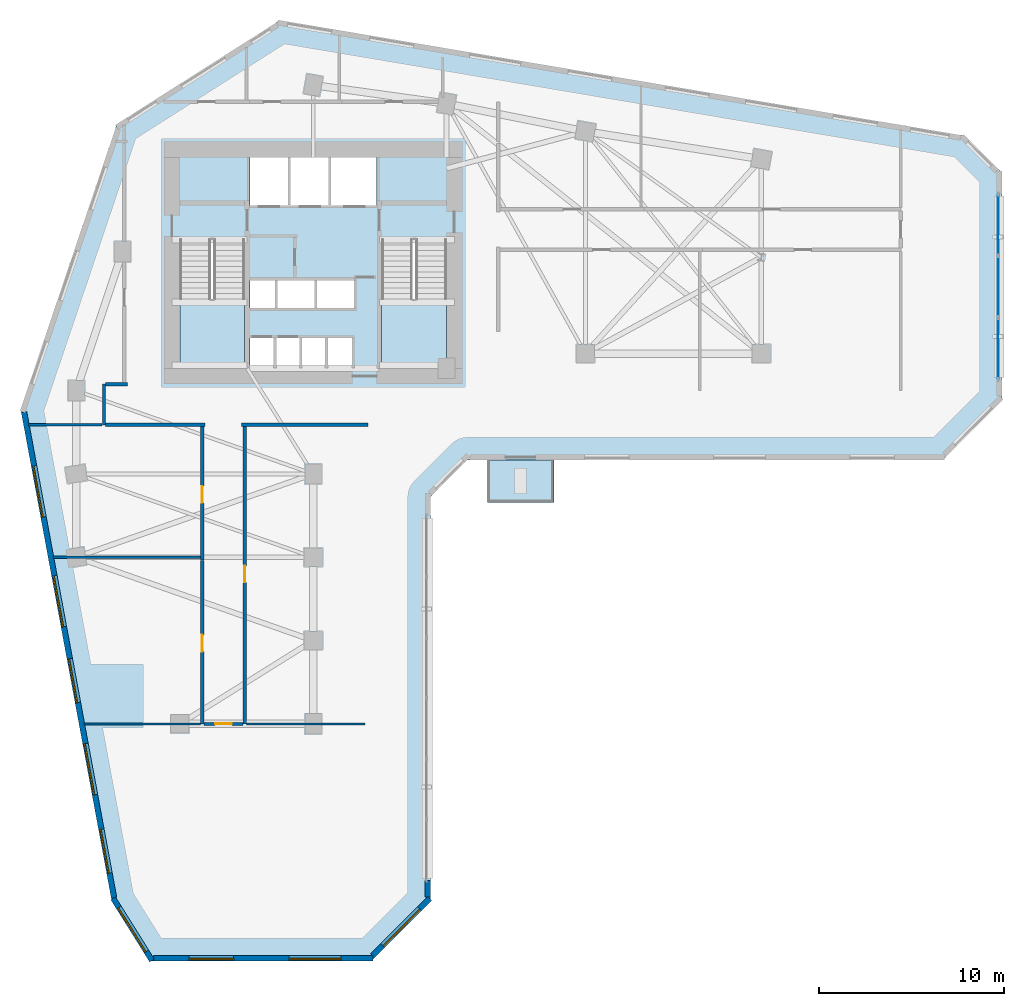
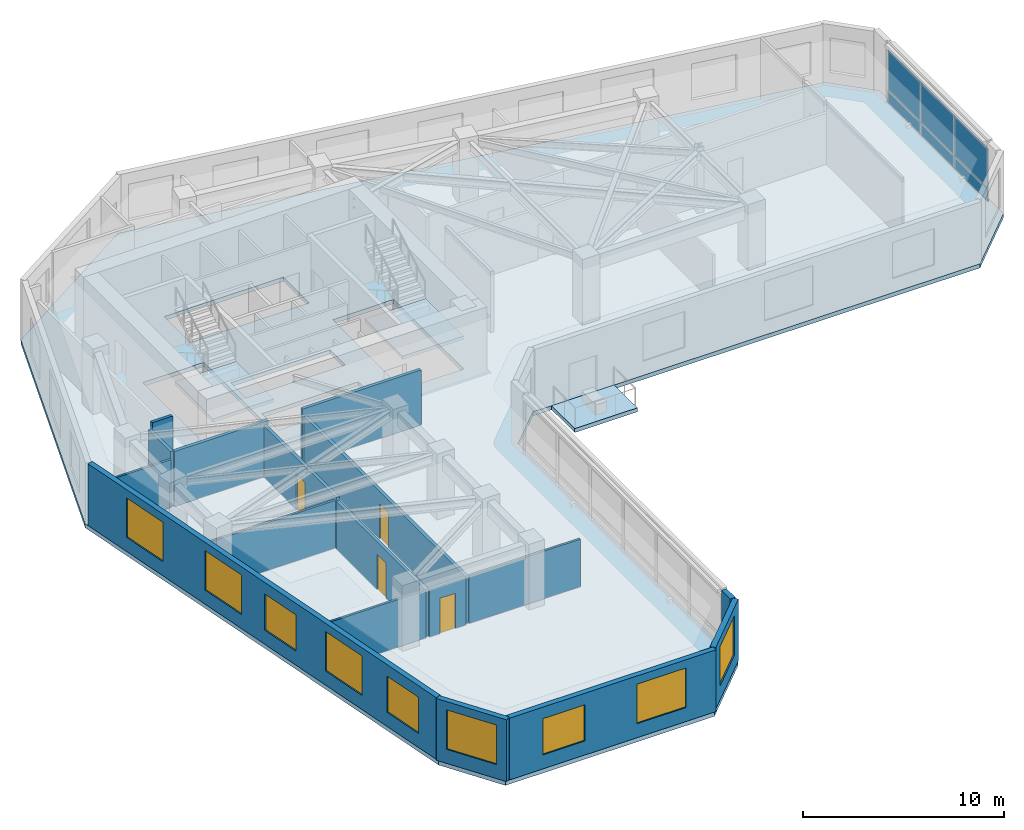
# One storey, part 6 of 12: 17 walls, 9 windows, 6 plates, 4 doors, 4 slabs, 13 openings, 3 elements without a shape of their own.
"""IFC4 building model written with IfcOpenShell, lengths in metres."""

from ifc_helpers import new_model, si_unit, direction, frame, frame_2d, origin, place, context, subcontext, project, spatial, polyline, rectangle, outline, extrude, source, transform, mapped, material, layer, layer_set, type_object, element, fill, aggregate, save


model = new_model("IFC4")

# Units and contexts
model_context = context("Model", 3, precision=1e-05, world=origin(), true_north=direction((0.0, 1.0)))
body_context = subcontext(model_context, "Body", "Model", "MODEL_VIEW")
ifc_project = project(units=[si_unit("LENGTHUNIT", "METRE"), si_unit("AREAUNIT", "SQUARE_METRE"), si_unit("VOLUMEUNIT", "CUBIC_METRE"), si_unit("PLANEANGLEUNIT", "RADIAN"), si_unit("MASSUNIT", "GRAM", prefix="KILO")], contexts=[model_context])

# Site, building, storey
site_placement = place(None, origin())
site = spatial("IfcSite", under=ifc_project, at=site_placement, CompositionType="ELEMENT")
building_placement = place(site_placement, origin())
building = spatial("IfcBuilding", under=site, at=building_placement, Name="Calvemar Wedge Station Tower", CompositionType="ELEMENT")
storey_placement = place(building_placement, frame((0.0, 0.0, 39.0)))
storey = spatial("IfcBuildingStorey", under=building, at=storey_placement, Name="L09", CompositionType="ELEMENT", Elevation=39.0)

# Curtain wall, plates
ifc_material_1 = material(Name="Anodised aluminium 6063-T6", Category="aluminium")
curtain_wall_type = type_object("IfcCurtainWallType", Name="CW1", PredefinedType="NOTDEFINED", material=ifc_material_1)
curtain_wall_placement = place(storey_placement, origin())
curtain_wall = element("IfcCurtainWall", 1, at=curtain_wall_placement, inside=storey, type_object=curtain_wall_type, Name="Storey L09 CW1 Recessed Unitised Curtain Wall 8", PredefinedType="NOTDEFINED")
ifc_material_2 = material(Name="Low-E laminated insulated glass", Category="glass")
ifc_layer_1 = layer(ifc_material_2, 0.028076171875)
ifc_layer_set_1 = layer_set([ifc_layer_1], Name="Low-E laminated insulated glass")
plate_type_1 = type_object("IfcPlateType", Name="CW1-GLZ", PredefinedType="CURTAIN_PANEL", material=ifc_layer_set_1)
plate_1_placement = place(storey_placement, frame((60.7900390625, 33.64013671875, 0.8701171875), z_axis=(0.0, 0.0, 1.0), x_axis=(0.0, 1.0, 0.0)))
plate_1 = element("IfcPlate", 2, at=plate_1_placement, type_object=plate_type_1, Name="CW1 vision glass panel 1", PredefinedType="CURTAIN_PANEL", context=body_context, shape_type="SweptSolid", body=[
    extrude(rectangle(XDim=3.289306640625, YDim=0.028076171875, at=frame_2d((1.64453125, 0.0))), origin(), (0.0, 0.0, 1.0), 2.409912109375),
])
plate_2_placement = place(storey_placement, frame((60.7900390625, 36.96533203125, 0.8701171875), z_axis=(0.0, 0.0, 1.0), x_axis=(0.0, 1.0, 0.0)))
plate_2 = element("IfcPlate", 3, at=plate_2_placement, type_object=plate_type_1, Name="CW1 vision glass panel 2", PredefinedType="CURTAIN_PANEL", context=body_context, shape_type="SweptSolid", body=[
    extrude(rectangle(XDim=3.289306640625, YDim=0.028076171875, at=frame_2d((1.64453125, 0.0))), origin(), (0.0, 0.0, 1.0), 2.409912109375),
])
plate_3_placement = place(storey_placement, frame((60.7900390625, 40.29052734375, 0.8701171875), z_axis=(0.0, 0.0, 1.0), x_axis=(0.0, 1.0, 0.0)))
plate_3 = element("IfcPlate", 4, at=plate_3_placement, type_object=plate_type_1, Name="CW1 vision glass panel 3", PredefinedType="CURTAIN_PANEL", context=body_context, shape_type="SweptSolid", body=[
    extrude(rectangle(XDim=3.289306640625, YDim=0.028076171875, at=frame_2d((1.64453125, 0.0))), origin(), (0.0, 0.0, 1.0), 2.409912109375),
])
ifc_material_3 = material(Name="Oxidized bronze aluminium spandrel panel 5005-H24", Category="aluminium")
ifc_layer_2 = layer(ifc_material_3, 0.0400390625)
ifc_layer_set_2 = layer_set([ifc_layer_2], Name="Oxidized bronze aluminium spandrel panel 5005-H24")
plate_type_2 = type_object("IfcPlateType", Name="CW1-SPD", PredefinedType="SHEET", material=ifc_layer_set_2)
plate_4_placement = place(storey_placement, frame((60.7900390625, 33.64013671875, 0.080078125), z_axis=(0.0, 0.0, 1.0), x_axis=(0.0, 1.0, 0.0)))
plate_4 = element("IfcPlate", 5, at=plate_4_placement, type_object=plate_type_2, Name="CW1 bronze spandrel panel 1", PredefinedType="SHEET", context=body_context, shape_type="SweptSolid", body=[
    extrude(rectangle(XDim=3.289306640625, YDim=0.0400390625, at=frame_2d((1.64453125, 0.0))), origin(), (0.0, 0.0, 1.0), 0.75),
])
plate_5_placement = place(storey_placement, frame((60.7900390625, 36.96533203125, 0.080078125), z_axis=(0.0, 0.0, 1.0), x_axis=(0.0, 1.0, 0.0)))
plate_5 = element("IfcPlate", 6, at=plate_5_placement, type_object=plate_type_2, Name="CW1 bronze spandrel panel 2", PredefinedType="SHEET", context=body_context, shape_type="SweptSolid", body=[
    extrude(rectangle(XDim=3.289306640625, YDim=0.0400390625, at=frame_2d((1.64453125, 0.0))), origin(), (0.0, 0.0, 1.0), 0.75),
])
plate_6_placement = place(storey_placement, frame((60.7900390625, 40.29052734375, 0.080078125), z_axis=(0.0, 0.0, 1.0), x_axis=(0.0, 1.0, 0.0)))
plate_6 = element("IfcPlate", 7, at=plate_6_placement, type_object=plate_type_2, Name="CW1 bronze spandrel panel 3", PredefinedType="SHEET", context=body_context, shape_type="SweptSolid", body=[
    extrude(rectangle(XDim=3.289306640625, YDim=0.0400390625, at=frame_2d((1.64453125, 0.0))), origin(), (0.0, 0.0, 1.0), 0.75),
])
aggregate(curtain_wall, [plate_4, plate_1, plate_5, plate_2, plate_6, plate_3])

# Stair, slab
ifc_material_4 = material(Name="Concrete C45", Category="concrete")
stair_type = type_object("IfcStairType", Name="ST-TYPE-4000", PredefinedType="HALF_TURN_STAIR", material=ifc_material_4)
stair_1_placement = place(storey_placement, origin())
stair_1 = element("IfcStair", 8, at=stair_1_placement, inside=storey, type_object=stair_type, Name="L09 Pressurized Core Exit Stair ST-C1", PredefinedType="HALF_TURN_STAIR")
ifc_layer_3 = layer(ifc_material_4, 0.199951171875)
ifc_layer_set_3 = layer_set([ifc_layer_3], Name="Concrete C45")
slab_type_1 = type_object("IfcSlabType", Name="SL-STAIR-LND-200", PredefinedType="LANDING", material=ifc_layer_set_3)
slab_1_placement = place(storey_placement, frame((0.0, 0.0, 1.800048828125)))
slab_1 = element("IfcSlab", 9, at=slab_1_placement, type_object=slab_type_1, Name="ST-C1 landing 1", PredefinedType="LANDING", context=body_context, shape_type="SweptSolid", body=[
    extrude(outline(polyline([(16.60009765625, 37.9599609375), (16.60009765625, 34.199951171875), (20.10009765625, 34.199951171875), (20.10009765625, 37.9599609375), (16.60009765625, 37.9599609375)])), origin(), (0.0, 0.0, 1.0), 0.199951171875),
])
aggregate(stair_1, [slab_1])

stair_2_placement = place(storey_placement, origin())
stair_2 = element("IfcStair", 10, at=stair_2_placement, inside=storey, type_object=stair_type, Name="L09 Pressurized Core Exit Stair ST-C2", PredefinedType="HALF_TURN_STAIR")
slab_2_placement = place(storey_placement, frame((0.0, 0.0, 1.800048828125)))
slab_2 = element("IfcSlab", 11, at=slab_2_placement, type_object=slab_type_1, Name="ST-C2 landing 1", PredefinedType="LANDING", context=body_context, shape_type="SweptSolid", body=[
    extrude(outline(polyline([(27.5, 37.9599609375), (27.5, 34.199951171875), (31.0, 34.199951171875), (31.0, 37.9599609375), (27.5, 37.9599609375)])), origin(), (0.0, 0.0, 1.0), 0.199951171875),
])
aggregate(stair_2, [slab_2])

# Slabs
ifc_layer_4 = layer(ifc_material_4, 0.239990234375)
ifc_layer_set_4 = layer_set([ifc_layer_4], Name="Concrete C45")
slab_type_2 = type_object("IfcSlabType", Name="SL-TERR-240", PredefinedType="FLOOR", material=ifc_layer_set_4)
slab_3_placement = place(storey_placement, frame((0.0, 0.0, -0.239990234375)))
element("IfcSlab", 12, at=slab_3_placement, inside=storey, type_object=slab_type_2, Name="Storey L09 Planted Spiral Terrace Slab", PredefinedType="FLOOR", context=body_context, shape_type="SweptSolid", body=[
    extrude(outline(polyline([(33.199951171875, 29.260009765625), (33.199951171875, 26.9599609375), (36.800048828125, 26.9599609375), (36.800048828125, 29.260009765625), (33.199951171875, 29.260009765625)])), origin(), (0.0, 0.0, 1.0), 0.239990234375),
])
ifc_material_5 = material(Name="Concrete C50", Category="concrete")
ifc_layer_5 = layer(ifc_material_5, 0.25)
ifc_layer_set_5 = layer_set([ifc_layer_5], Name="Concrete C50")
slab_type_3 = type_object("IfcSlabType", Name="SL-TYP-250", PredefinedType="FLOOR", material=ifc_layer_set_5)
slab_4_placement = place(storey_placement, frame((0.0, 0.0, -0.25)))
element("IfcSlab", 13, at=slab_4_placement, inside=storey, type_object=slab_type_3, Name="Storey L09 Structural Floor Slab", PredefinedType="FLOOR", context=body_context, shape_type="SweptSolid", body=[
    extrude(outline(polyline([(8.0, 32.0), (12.927978515625, 5.39990234375), (14.927978515625, 2.199951171875), (26.927978515625, 2.199951171875), (30.1279296875, 5.39990234375), (30.1279296875, 27.260009765625), (32.1279296875, 29.260009765625), (57.800048828125, 29.260009765625), (61.0, 32.4599609375), (61.0, 44.760009765625), (59.0, 46.760009765625), (22.0, 53.0), (13.199951171875, 47.39990234375), (8.0, 32.0)]), holes=[polyline([(21.739990234375, 35.85009765625), (21.72998046875, 35.85009765625), (20.3798828125, 35.85009765625), (20.3798828125, 34.219970703125), (21.72998046875, 34.219970703125), (21.739990234375, 34.219970703125), (23.1201171875, 34.219970703125), (23.1298828125, 34.219970703125), (24.510009765625, 34.219970703125), (24.52001953125, 34.219970703125), (25.909912109375, 34.219970703125), (25.909912109375, 35.85009765625), (24.52001953125, 35.85009765625), (24.510009765625, 35.85009765625), (23.1298828125, 35.85009765625), (23.1201171875, 35.85009765625), (21.739990234375, 35.85009765625)]), polyline([(16.60009765625, 41.14990234375), (16.60009765625, 34.199951171875), (20.10009765625, 34.199951171875), (20.10009765625, 41.14990234375), (16.60009765625, 41.14990234375)]), polyline([(27.5, 34.199951171875), (31.0, 34.199951171875), (31.0, 41.14990234375), (27.5, 41.14990234375), (27.5, 34.199951171875)]), polyline([(21.7900390625, 37.449951171875), (21.800048828125, 37.449951171875), (23.929931640625, 37.449951171875), (23.93994140625, 37.449951171875), (26.080078125, 37.449951171875), (26.080078125, 38.949951171875), (23.93994140625, 38.949951171875), (23.929931640625, 38.949951171875), (21.800048828125, 38.949951171875), (21.7900390625, 38.949951171875), (20.3798828125, 38.949951171875), (20.3798828125, 37.449951171875), (21.7900390625, 37.449951171875)]), polyline([(20.3798828125, 43.0), (27.219970703125, 43.0), (27.219970703125, 45.580078125), (20.3798828125, 45.580078125), (20.3798828125, 43.0)])]), origin(), (0.0, 0.0, 1.0), 0.25),
])

# Walls
ifc_material_6 = material(Name="Double-stud fire-rated corridor partition")
ifc_layer_6 = layer(ifc_material_6, 0.179931640625)
ifc_layer_set_6 = layer_set([ifc_layer_6], Name="Double-stud fire-rated corridor partition")
wall_type_1 = type_object("IfcWallType", Name="W-CORR-180", PredefinedType="PARTITIONING", material=ifc_layer_set_6)
wall_1_placement = place(storey_placement, frame((12.5, 31.14990234375, 0.0), z_axis=(0.0, 0.0, 1.0), x_axis=(0.0, 1.0, 0.0)))
element("IfcWall", 14, at=wall_1_placement, inside=storey, type_object=wall_type_1, Name="Storey L09 Interior Partition WL-L09-004", PredefinedType="PARTITIONING", context=body_context, shape_type="SweptSolid", body=[
    extrude(rectangle(XDim=2.2001953125, YDim=0.179931640625, at=frame_2d((1.10009765625, 0.0))), origin(), (0.0, 0.0, 1.0), 3.3349609375),
])
wall_2_placement = place(storey_placement, frame((12.593994140625, 33.35009765625, 0.0), z_axis=(0.0, 0.0, 1.0), x_axis=(1.0, 0.0, 0.0)))
element("IfcWall", 15, at=wall_2_placement, inside=storey, type_object=wall_type_1, Name="Storey L09 Interior Partition WL-L09-005", PredefinedType="PARTITIONING", context=body_context, shape_type="SweptSolid", body=[
    extrude(rectangle(XDim=1.166015625, YDim=0.179931640625, at=frame_2d((0.5830078125, 0.0))), origin(), (0.0, 0.0, 1.0), 3.75),
])
wall_3_placement = place(storey_placement, frame((17.9599609375, 31.14990234375, 0.0), z_axis=(0.0, 0.0, 1.0), x_axis=(-1.0, 0.0, 0.0)))
element("IfcWall", 16, at=wall_3_placement, inside=storey, type_object=wall_type_1, Name="Storey L09 Interior Partition WL-L09-006", PredefinedType="PARTITIONING", context=body_context, shape_type="SweptSolid", body=[
    extrude(rectangle(XDim=5.365966796875, YDim=0.179931640625, at=frame_2d((2.68310546875, 0.0))), origin(), (0.0, 0.0, 1.0), 3.3349609375),
])
wall_4_placement = place(storey_placement, frame((26.760009765625, 31.14990234375, 0.0), z_axis=(0.0, 0.0, 1.0), x_axis=(-1.0, 0.0, 0.0)))
element("IfcWall", 17, at=wall_4_placement, inside=storey, type_object=wall_type_1, Name="Storey L09 Interior Partition WL-L09-007", PredefinedType="PARTITIONING", context=body_context, shape_type="SweptSolid", body=[
    extrude(rectangle(XDim=6.820068359375, YDim=0.179931640625, at=frame_2d((3.41015625, 0.0))), origin(), (0.0, 0.0, 1.0), 3.3349609375),
])

# Wall, opening, door
wall_5_placement = place(storey_placement, frame((17.800048828125, 23.840087890625, 0.0), z_axis=(0.0, 0.0, 1.0), x_axis=(0.0, 1.0, 0.0)))
wall_5 = element("IfcWall", 18, at=wall_5_placement, inside=storey, type_object=wall_type_1, Name="Storey L09 Interior Partition WL-L09-028", PredefinedType="PARTITIONING", context=body_context, shape_type="SweptSolid", body=[
    extrude(rectangle(XDim=7.2158203125, YDim=0.179931640625, at=frame_2d((3.60791015625, 0.0))), origin(), (0.0, 0.0, 1.0), 3.125),
])
shared_shape_1 = source(origin(), body_context, "Body", "SweptSolid", [
    extrude(rectangle(XDim=0.89990234375, YDim=2.14990234375, at=frame_2d((0.449951171875, 1.074951171875))), frame((0.0, 0.10009765625, 0.0), z_axis=(0.0, -1.0, 0.0), x_axis=(1.0, 0.0, 0.0)), (0.0, 0.0, 1.0), 0.199951171875),
])
opening_1_placement = place(wall_5_placement, frame((3.0966796875, 0.0, 0.0)))
opening_1 = element("IfcOpeningElement", 19, at=opening_1_placement, cuts=wall_5, Name="Opening D-01", PredefinedType="OPENING", context=body_context, shape_type="MappedRepresentation", body=[
    mapped(shared_shape_1, transform((0.0, 0.0, 0.0), scale=1.0)),
])
ifc_material_7 = material(Name="Architectural hardwood acoustic swing door", Category="wood")
door_type = type_object("IfcDoorType", Name="DR-INT-900", OperationType="NOTDEFINED", PredefinedType="DOOR", material=ifc_material_7)
shared_shape_2 = source(origin(), body_context, "Body", "SweptSolid", [
    extrude(rectangle(XDim=0.89990234375, YDim=2.14990234375, at=frame_2d((0.449951171875, 1.074951171875))), frame((0.0, 0.02490234375, 0.0), z_axis=(0.0, -1.0, 0.0), x_axis=(1.0, 0.0, 0.0)), (0.0, 0.0, 1.0), 0.050048828125),
])
door_1_placement = place(opening_1_placement, origin())
door_1 = element("IfcDoor", 20, at=door_1_placement, inside=storey, type_object=door_type, Name="L09 Office Door", OperationType="SINGLE_SWING_RIGHT", OverallHeight=2.14990234375, OverallWidth=0.89990234375, PredefinedType="DOOR", context=body_context, shape_type="MappedRepresentation", body=[
    mapped(shared_shape_2, transform((0.0, 0.0, 0.0), scale=1.0)),
])
fill(opening_1, door_1)

wall_6_placement = place(storey_placement, frame((17.800048828125, 15.0, 0.0), z_axis=(0.0, 0.0, 1.0), x_axis=(0.0, 1.0, 0.0)))
wall_6 = element("IfcWall", 21, at=wall_6_placement, inside=storey, type_object=wall_type_1, Name="Storey L09 Interior Partition WL-L09-029", PredefinedType="PARTITIONING", context=body_context, shape_type="SweptSolid", body=[
    extrude(rectangle(XDim=8.837890625, YDim=0.179931640625, at=frame_2d((4.4189453125, 0.0))), origin(), (0.0, 0.0, 1.0), 2.89208984375),
])
opening_2_placement = place(wall_6_placement, frame((3.908447265625, 0.0, 0.0)))
opening_2 = element("IfcOpeningElement", 22, at=opening_2_placement, cuts=wall_6, Name="Opening D-01", PredefinedType="OPENING", context=body_context, shape_type="MappedRepresentation", body=[
    mapped(shared_shape_1, transform((0.0, 0.0, 0.0), scale=1.0)),
])
door_2_placement = place(opening_2_placement, origin())
door_2 = element("IfcDoor", 23, at=door_2_placement, inside=storey, type_object=door_type, Name="L09 Co-Working Studio Door", OperationType="SINGLE_SWING_LEFT", OverallHeight=2.14990234375, OverallWidth=0.89990234375, PredefinedType="DOOR", context=body_context, shape_type="MappedRepresentation", body=[
    mapped(shared_shape_2, transform((0.0, 0.0, 0.0), scale=1.0)),
])
fill(opening_2, door_2)

wall_7_placement = place(storey_placement, frame((20.10009765625, 31.055908203125, 0.0), z_axis=(0.0, 0.0, 1.0), x_axis=(0.0, -1.0, 0.0)))
wall_7 = element("IfcWall", 24, at=wall_7_placement, inside=storey, type_object=wall_type_1, Name="Storey L09 Interior Partition WL-L09-030", PredefinedType="PARTITIONING", context=body_context, shape_type="SweptSolid", body=[
    extrude(rectangle(XDim=16.055908203125, YDim=0.179931640625, at=frame_2d((8.02783203125, 0.0))), origin(), (0.0, 0.0, 1.0), 2.89208984375),
])
opening_3_placement = place(wall_7_placement, frame((7.517578125, 0.0, 0.0)))
opening_3 = element("IfcOpeningElement", 25, at=opening_3_placement, cuts=wall_7, Name="Opening D-01", PredefinedType="OPENING", context=body_context, shape_type="MappedRepresentation", body=[
    mapped(shared_shape_1, transform((0.0, 0.0, 0.0), scale=1.0)),
])
door_3_placement = place(opening_3_placement, origin())
door_3 = element("IfcDoor", 26, at=door_3_placement, inside=storey, type_object=door_type, Name="L09 Co-Working Studio Door", OperationType="SINGLE_SWING_RIGHT", OverallHeight=2.14990234375, OverallWidth=0.89990234375, PredefinedType="DOOR", context=body_context, shape_type="MappedRepresentation", body=[
    mapped(shared_shape_2, transform((0.0, 0.0, 0.0), scale=1.0)),
])
fill(opening_3, door_3)

wall_8_placement = place(storey_placement, frame((20.006103515625, 15.0, 0.0), z_axis=(0.0, 0.0, 1.0), x_axis=(-1.0, 0.0, 0.0)))
wall_8 = element("IfcWall", 27, at=wall_8_placement, inside=storey, type_object=wall_type_1, Name="Storey L09 Interior Partition WL-L09-031", PredefinedType="PARTITIONING", context=body_context, shape_type="SweptSolid", body=[
    extrude(rectangle(XDim=2.112060546875, YDim=0.179931640625, at=frame_2d((1.05615234375, 0.0))), origin(), (0.0, 0.0, 1.0), 2.89208984375),
])
opening_4_placement = place(wall_8_placement, frame((0.60595703125, 0.0, 0.0)))
opening_4 = element("IfcOpeningElement", 28, at=opening_4_placement, cuts=wall_8, Name="Opening D-01", PredefinedType="OPENING", context=body_context, shape_type="MappedRepresentation", body=[
    mapped(shared_shape_1, transform((0.0, 0.0, 0.0), scale=1.0)),
])
door_4_placement = place(opening_4_placement, origin())
door_4 = element("IfcDoor", 29, at=door_4_placement, inside=storey, type_object=door_type, Name="L09 Meeting Room Door", OperationType="SINGLE_SWING_LEFT", OverallHeight=2.14990234375, OverallWidth=0.89990234375, PredefinedType="DOOR", context=body_context, shape_type="MappedRepresentation", body=[
    mapped(shared_shape_2, transform((0.0, 0.0, 0.0), scale=1.0)),
])
fill(opening_4, door_4)

# Wall, opening, window
ifc_material_8 = material(Name="Precast concrete C45", Category="concrete")
ifc_layer_7 = layer(ifc_material_8, 0.300048828125)
ifc_layer_set_7 = layer_set([ifc_layer_7], Name="Precast concrete C45")
wall_type_2 = type_object("IfcWallType", Name="W-EXT-GFRC-300", PredefinedType="SOLIDWALL", material=ifc_layer_set_7)
wall_9_placement = place(storey_placement, frame((12.99072265625, 5.58251953125, 0.0), z_axis=(0.0, 0.0, 1.0), x_axis=(0.530015557218, -0.847987918019, 0.0)))
wall_9 = element("IfcWall", 30, at=wall_9_placement, inside=storey, type_object=wall_type_2, Name="Storey L09 Bronze GFRC Exterior Wall 1", PredefinedType="SOLIDWALL", context=body_context, shape_type="SweptSolid", body=[
    extrude(rectangle(XDim=3.9619140625, YDim=0.300048828125, at=frame_2d((1.98095703125, 0.0))), origin(), (0.0, 0.0, 1.0), 3.75),
])
shared_shape_3 = source(origin(), body_context, "Body", "SweptSolid", [
    extrude(rectangle(XDim=2.800048828125, YDim=2.39990234375, at=frame_2d((1.39990234375, 1.199951171875))), frame((0.0, 0.16015625, 0.0), z_axis=(0.0, -1.0, 0.0), x_axis=(1.0, 0.0, 0.0)), (0.0, 0.0, 1.0), 0.320068359375),
])
opening_5_placement = place(wall_9_placement, frame((0.5810546875, 0.0, 0.85009765625)))
opening_5 = element("IfcOpeningElement", 31, at=opening_5_placement, cuts=wall_9, Name="Opening W6", PredefinedType="OPENING", context=body_context, shape_type="MappedRepresentation", body=[
    mapped(shared_shape_3, transform((0.0, 0.0, 0.0), scale=1.0)),
])
window_type_1 = type_object("IfcWindowType", Name="WIN-EXT-6", PartitioningType="SINGLE_PANEL", PredefinedType="WINDOW", material=ifc_material_2)
shared_shape_4 = source(origin(), body_context, "Body", "SweptSolid", [
    extrude(rectangle(XDim=2.800048828125, YDim=2.39990234375, at=frame_2d((1.39990234375, 1.199951171875))), frame((0.0, -0.014892578125, 0.0), z_axis=(0.0, -1.0, 0.0), x_axis=(1.0, 0.0, 0.0)), (0.0, 0.0, 1.0), 0.06005859375),
])
window_1_placement = place(opening_5_placement, origin())
window_1 = element("IfcWindow", 32, at=window_1_placement, inside=storey, type_object=window_type_1, Name="Storey L09 Recessed Window 1.1", OverallHeight=2.39990234375, OverallWidth=2.800048828125, PartitioningType="SINGLE_PANEL", PredefinedType="WINDOW", context=body_context, shape_type="MappedRepresentation", body=[
    mapped(shared_shape_4, transform((0.0, 0.0, 0.0), scale=1.0)),
])
fill(opening_5, window_1)

# Wall, openings, windows
wall_10_placement = place(storey_placement, frame((15.173828125, 2.35009765625, 0.0), z_axis=(0.0, 0.0, 1.0), x_axis=(1.0, 0.0, 0.0)))
wall_10 = element("IfcWall", 33, at=wall_10_placement, inside=storey, type_object=wall_type_2, Name="Storey L09 Bronze GFRC Exterior Wall 2", PredefinedType="SOLIDWALL", context=body_context, shape_type="SweptSolid", body=[
    extrude(rectangle(XDim=11.842041015625, YDim=0.300048828125, at=frame_2d((5.9208984375, 0.0))), origin(), (0.0, 0.0, 1.0), 3.75),
])
shared_shape_5 = source(origin(), body_context, "Body", "SweptSolid", [
    extrude(rectangle(XDim=2.39990234375, YDim=2.199951171875, at=frame_2d((1.199951171875, 1.10009765625))), frame((0.0, 0.16015625, 0.0), z_axis=(0.0, -1.0, 0.0), x_axis=(1.0, 0.0, 0.0)), (0.0, 0.0, 1.0), 0.320068359375),
])
opening_6_placement = place(wall_10_placement, frame((1.9208984375, 0.0, 0.85009765625)))
opening_6 = element("IfcOpeningElement", 34, at=opening_6_placement, cuts=wall_10, Name="Opening W1", PredefinedType="OPENING", context=body_context, shape_type="MappedRepresentation", body=[
    mapped(shared_shape_5, transform((0.0, 0.0, 0.0), scale=1.0)),
])
opening_7_placement = place(wall_10_placement, frame((7.322021484375, 0.0, 0.85009765625)))
opening_7 = element("IfcOpeningElement", 35, at=opening_7_placement, cuts=wall_10, Name="Opening W6", PredefinedType="OPENING", context=body_context, shape_type="MappedRepresentation", body=[
    mapped(shared_shape_3, transform((0.0, 0.0, 0.0), scale=1.0)),
])
window_2_placement = place(opening_7_placement, origin())
window_2 = element("IfcWindow", 36, at=window_2_placement, inside=storey, type_object=window_type_1, Name="Storey L09 Recessed Window 2.2", OverallHeight=2.39990234375, OverallWidth=2.800048828125, PartitioningType="SINGLE_PANEL", PredefinedType="WINDOW", context=body_context, shape_type="MappedRepresentation", body=[
    mapped(shared_shape_4, transform((0.0, 0.0, 0.0), scale=1.0)),
])
fill(opening_7, window_2)
window_type_2 = type_object("IfcWindowType", Name="WIN-EXT-1", PartitioningType="SINGLE_PANEL", PredefinedType="WINDOW", material=ifc_material_2)
shared_shape_6 = source(origin(), body_context, "Body", "SweptSolid", [
    extrude(rectangle(XDim=2.39990234375, YDim=2.199951171875, at=frame_2d((1.199951171875, 1.10009765625))), frame((0.0, -0.014892578125, 0.0), z_axis=(0.0, -1.0, 0.0), x_axis=(1.0, 0.0, 0.0)), (0.0, 0.0, 1.0), 0.06005859375),
])
window_3_placement = place(opening_6_placement, origin())
window_3 = element("IfcWindow", 37, at=window_3_placement, inside=storey, type_object=window_type_2, Name="Storey L09 Recessed Window 2.1", OverallHeight=2.199951171875, OverallWidth=2.39990234375, PartitioningType="SINGLE_PANEL", PredefinedType="WINDOW", context=body_context, shape_type="MappedRepresentation", body=[
    mapped(shared_shape_6, transform((0.0, 0.0, 0.0), scale=1.0)),
])
fill(opening_6, window_3)

# Wall, opening, window
wall_11_placement = place(storey_placement, frame((27.00390625, 2.488037109375, 0.0), z_axis=(0.0, 0.0, 1.0), x_axis=(0.707106781187, 0.707106781187, 0.0)))
wall_11 = element("IfcWall", 38, at=wall_11_placement, inside=storey, type_object=wall_type_2, Name="Storey L09 Bronze GFRC Exterior Wall 3", PredefinedType="SOLIDWALL", context=body_context, shape_type="SweptSolid", body=[
    extrude(rectangle(XDim=4.35595703125, YDim=0.300048828125, at=frame_2d((2.177978515625, 0.0))), origin(), (0.0, 0.0, 1.0), 3.75),
])
opening_8_placement = place(wall_11_placement, frame((0.778076171875, 0.0, 0.85009765625)))
opening_8 = element("IfcOpeningElement", 39, at=opening_8_placement, cuts=wall_11, Name="Opening W6", PredefinedType="OPENING", context=body_context, shape_type="MappedRepresentation", body=[
    mapped(shared_shape_3, transform((0.0, 0.0, 0.0), scale=1.0)),
])
window_4_placement = place(opening_8_placement, origin())
window_4 = element("IfcWindow", 40, at=window_4_placement, inside=storey, type_object=window_type_1, Name="Storey L09 Recessed Window 3.1", OverallHeight=2.39990234375, OverallWidth=2.800048828125, PartitioningType="SINGLE_PANEL", PredefinedType="WINDOW", context=body_context, shape_type="MappedRepresentation", body=[
    mapped(shared_shape_4, transform((0.0, 0.0, 0.0), scale=1.0)),
])
fill(opening_8, window_4)

# Wall
wall_12_placement = place(storey_placement, frame((29.97802734375, 5.6572265625, 0.0), z_axis=(0.0, 0.0, 1.0), x_axis=(0.0, 1.0, 0.0)))
element("IfcWall", 41, at=wall_12_placement, inside=storey, type_object=wall_type_2, Name="Storey L09 Bronze GFRC Corner Pier 4A", PredefinedType="SOLIDWALL", context=body_context, shape_type="SweptSolid", body=[
    extrude(rectangle(XDim=0.8798828125, YDim=0.300048828125, at=frame_2d((0.43994140625, 0.0))), origin(), (0.0, 0.0, 1.0), 3.75),
])

# Wall, openings, windows
wall_13_placement = place(storey_placement, frame((8.183349609375, 31.83349609375, 0.0), z_axis=(0.0, 0.0, 1.0), x_axis=(0.18216364648, -0.983268226834, 0.0)))
wall_13 = element("IfcWall", 42, at=wall_13_placement, inside=storey, type_object=wall_type_2, Name="Storey L09 Bronze GFRC Exterior Wall 13", PredefinedType="SOLIDWALL", context=body_context, shape_type="SweptSolid", body=[
    extrude(rectangle(XDim=26.678466796875, YDim=0.300048828125, at=frame_2d((13.33935546875, 0.0))), origin(), (0.0, 0.0, 1.0), 3.75),
])
opening_9_placement = place(wall_13_placement, frame((2.951904296875, 0.0, 0.85009765625)))
opening_9 = element("IfcOpeningElement", 43, at=opening_9_placement, cuts=wall_13, Name="Opening W6", PredefinedType="OPENING", context=body_context, shape_type="MappedRepresentation", body=[
    mapped(shared_shape_3, transform((0.0, 0.0, 0.0), scale=1.0)),
])
opening_10_placement = place(wall_13_placement, frame((8.986083984375, 0.0, 0.85009765625)))
opening_10 = element("IfcOpeningElement", 44, at=opening_10_placement, cuts=wall_13, Name="Opening W6", PredefinedType="OPENING", context=body_context, shape_type="MappedRepresentation", body=[
    mapped(shared_shape_3, transform((0.0, 0.0, 0.0), scale=1.0)),
])
opening_11_placement = place(wall_13_placement, frame((13.54296875, 0.0, 0.85009765625)))
opening_11 = element("IfcOpeningElement", 45, at=opening_11_placement, cuts=wall_13, Name="Opening W1", PredefinedType="OPENING", context=body_context, shape_type="MappedRepresentation", body=[
    mapped(shared_shape_5, transform((0.0, 0.0, 0.0), scale=1.0)),
])
opening_12_placement = place(wall_13_placement, frame((18.2109375, 0.0, 0.85009765625)))
opening_12 = element("IfcOpeningElement", 46, at=opening_12_placement, cuts=wall_13, Name="Opening W6", PredefinedType="OPENING", context=body_context, shape_type="MappedRepresentation", body=[
    mapped(shared_shape_3, transform((0.0, 0.0, 0.0), scale=1.0)),
])
opening_13_placement = place(wall_13_placement, frame((22.908935546875, 0.0, 0.85009765625)))
opening_13 = element("IfcOpeningElement", 47, at=opening_13_placement, cuts=wall_13, Name="Opening W1", PredefinedType="OPENING", context=body_context, shape_type="MappedRepresentation", body=[
    mapped(shared_shape_5, transform((0.0, 0.0, 0.0), scale=1.0)),
])
window_5_placement = place(opening_9_placement, origin())
window_5 = element("IfcWindow", 48, at=window_5_placement, inside=storey, type_object=window_type_1, Name="Storey L09 Recessed Window 13.1", OverallHeight=2.39990234375, OverallWidth=2.800048828125, PartitioningType="SINGLE_PANEL", PredefinedType="WINDOW", context=body_context, shape_type="MappedRepresentation", body=[
    mapped(shared_shape_4, transform((0.0, 0.0, 0.0), scale=1.0)),
])
fill(opening_9, window_5)
window_6_placement = place(opening_10_placement, origin())
window_6 = element("IfcWindow", 49, at=window_6_placement, inside=storey, type_object=window_type_1, Name="Storey L09 Recessed Window 13.2", OverallHeight=2.39990234375, OverallWidth=2.800048828125, PartitioningType="SINGLE_PANEL", PredefinedType="WINDOW", context=body_context, shape_type="MappedRepresentation", body=[
    mapped(shared_shape_4, transform((0.0, 0.0, 0.0), scale=1.0)),
])
fill(opening_10, window_6)
window_7_placement = place(opening_12_placement, origin())
window_7 = element("IfcWindow", 50, at=window_7_placement, inside=storey, type_object=window_type_1, Name="Storey L09 Recessed Window 13.4", OverallHeight=2.39990234375, OverallWidth=2.800048828125, PartitioningType="SINGLE_PANEL", PredefinedType="WINDOW", context=body_context, shape_type="MappedRepresentation", body=[
    mapped(shared_shape_4, transform((0.0, 0.0, 0.0), scale=1.0)),
])
fill(opening_12, window_7)
window_8_placement = place(opening_11_placement, origin())
window_8 = element("IfcWindow", 51, at=window_8_placement, inside=storey, type_object=window_type_2, Name="Storey L09 Recessed Window 13.3", OverallHeight=2.199951171875, OverallWidth=2.39990234375, PartitioningType="SINGLE_PANEL", PredefinedType="WINDOW", context=body_context, shape_type="MappedRepresentation", body=[
    mapped(shared_shape_6, transform((0.0, 0.0, 0.0), scale=1.0)),
])
fill(opening_11, window_8)
window_9_placement = place(opening_13_placement, origin())
window_9 = element("IfcWindow", 52, at=window_9_placement, inside=storey, type_object=window_type_2, Name="Storey L09 Recessed Window 13.5", OverallHeight=2.199951171875, OverallWidth=2.39990234375, PartitioningType="SINGLE_PANEL", PredefinedType="WINDOW", context=body_context, shape_type="MappedRepresentation", body=[
    mapped(shared_shape_6, transform((0.0, 0.0, 0.0), scale=1.0)),
])
fill(opening_13, window_9)

# Walls
ifc_material_9 = material(Name="Insulated acoustic gypsum stud partition")
ifc_layer_8 = layer(ifc_material_9, 0.125)
ifc_layer_set_8 = layer_set([ifc_layer_8], Name="Insulated acoustic gypsum stud partition")
wall_type_3 = type_object("IfcWallType", Name="W-PART-125", PredefinedType="PARTITIONING", material=ifc_layer_set_8)
wall_14_placement = place(storey_placement, frame((12.406005859375, 31.14990234375, 0.0), z_axis=(0.0, 0.0, 1.0), x_axis=(-1.0, 0.0, 0.0)))
element("IfcWall", 53, at=wall_14_placement, inside=storey, type_object=wall_type_3, Name="Storey L09 Interior Partition WL-L09-016", PredefinedType="PARTITIONING", context=body_context, shape_type="SweptSolid", body=[
    extrude(rectangle(XDim=3.97900390625, YDim=0.125, at=frame_2d((1.989501953125, 0.0))), origin(), (0.0, 0.0, 1.0), 2.89208984375),
])
wall_15_placement = place(storey_placement, frame((17.7060546875, 24.0, 0.0), z_axis=(0.0, 0.0, 1.0), x_axis=(-1.0, 0.0, 0.0)))
element("IfcWall", 54, at=wall_15_placement, inside=storey, type_object=wall_type_3, Name="Storey L09 Interior Partition WL-L09-032", PredefinedType="PARTITIONING", context=body_context, shape_type="SweptSolid", body=[
    extrude(rectangle(XDim=7.954345703125, YDim=0.125, at=frame_2d((3.97705078125, 0.0))), origin(), (0.0, 0.0, 1.0), 2.89208984375),
])
wall_16_placement = place(storey_placement, frame((17.7060546875, 15.0, 0.0), z_axis=(0.0, 0.0, 1.0), x_axis=(-1.0, 0.0, 0.0)))
element("IfcWall", 55, at=wall_16_placement, inside=storey, type_object=wall_type_3, Name="Storey L09 Interior Partition WL-L09-033", PredefinedType="PARTITIONING", context=body_context, shape_type="SweptSolid", body=[
    extrude(rectangle(XDim=6.287109375, YDim=0.125, at=frame_2d((3.1435546875, 0.0))), origin(), (0.0, 0.0, 1.0), 2.89208984375),
])
wall_17_placement = place(storey_placement, frame((26.60009765625, 15.0, 0.0), z_axis=(0.0, 0.0, 1.0), x_axis=(-1.0, 0.0, 0.0)))
element("IfcWall", 56, at=wall_17_placement, inside=storey, type_object=wall_type_3, Name="Storey L09 Interior Partition WL-L09-034", PredefinedType="PARTITIONING", context=body_context, shape_type="SweptSolid", body=[
    extrude(rectangle(XDim=6.406005859375, YDim=0.125, at=frame_2d((3.203125, 0.0))), origin(), (0.0, 0.0, 1.0), 2.89208984375),
])

save(model, "model.ifc")
